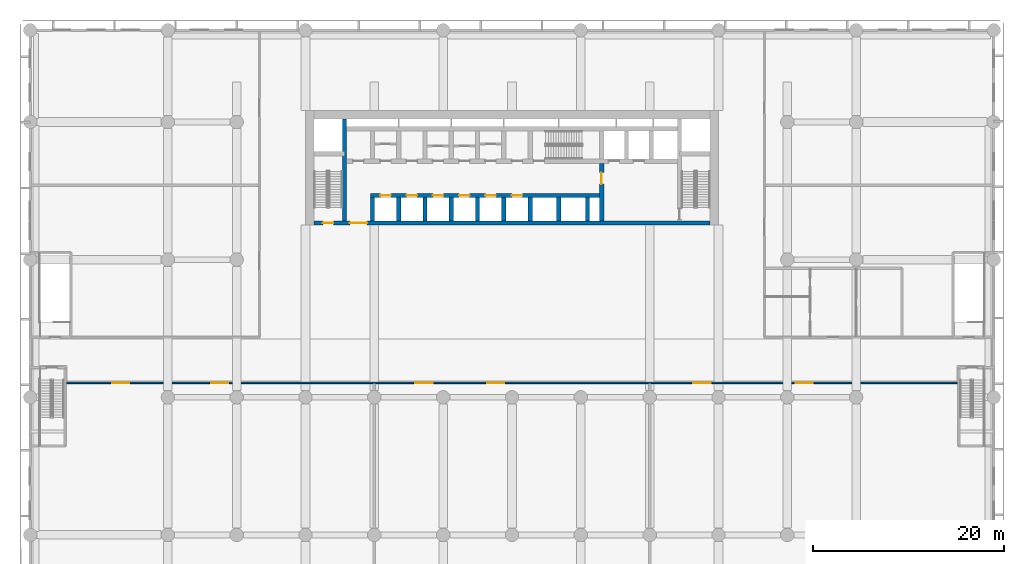
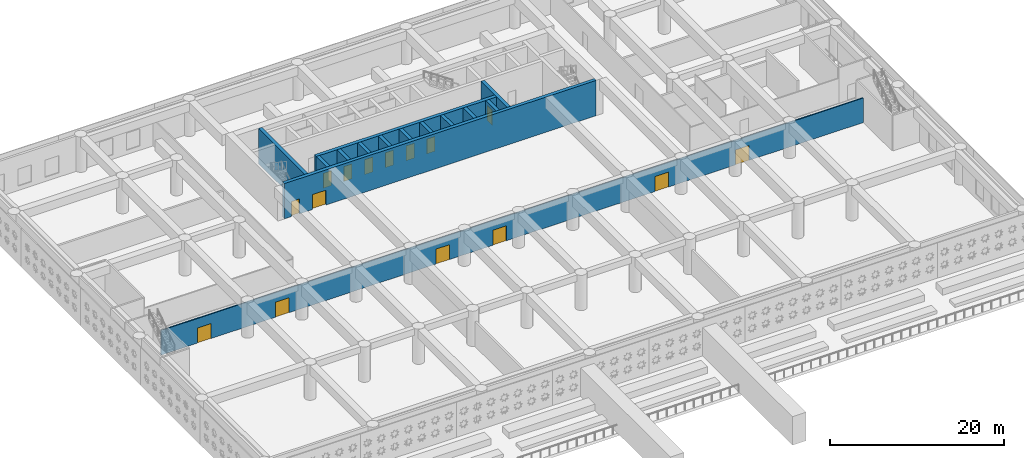
# One storey, part 5 of 24: 15 doors, 14 walls, 15 openings.
"""IFC4 building model written with IfcOpenShell, lengths in metres."""

from ifc_helpers import new_model, si_unit, direction, frame, frame_2d, origin, place, context, subcontext, project, spatial, rectangle, extrude, material, layer, layer_set, type_object, element, fill, save


model = new_model("IFC4")

# Units and contexts
model_context = context("Model", 3, precision=1e-05, world=origin(), true_north=direction((0.0, 1.0)))
body_context = subcontext(model_context, "Body", "Model", "MODEL_VIEW")
ifc_project = project(units=[si_unit("LENGTHUNIT", "METRE"), si_unit("AREAUNIT", "SQUARE_METRE"), si_unit("VOLUMEUNIT", "CUBIC_METRE"), si_unit("PLANEANGLEUNIT", "RADIAN"), si_unit("MASSUNIT", "GRAM", prefix="KILO")], contexts=[model_context])

# Site, building, storey
site_placement = place(None, origin())
site = spatial("IfcSite", under=ifc_project, at=site_placement, CompositionType="ELEMENT")
building_placement = place(site_placement, origin())
building = spatial("IfcBuilding", under=site, at=building_placement, Name="Saffron Iwan Residences", CompositionType="ELEMENT")
storey_placement = place(building_placement, frame((0.0, 0.0, 21.60009765625)))
storey = spatial("IfcBuildingStorey", under=building, at=storey_placement, Name="L04", CompositionType="ELEMENT", Elevation=21.60009765625)

# Wall, openings, doors
ifc_material_1 = material(Name="Concrete blockwork", Category="masonry")
ifc_layer_1 = layer(ifc_material_1, 0.14990234375)
ifc_layer_set_1 = layer_set([ifc_layer_1], Name="Concrete blockwork")
wall_type_1 = type_object("IfcWallType", Name="Blockwork partition 150", PredefinedType="PARTITIONING", material=ifc_layer_set_1)
wall_1_placement = place(storey_placement, frame((3.75, 49.5, 0.0), z_axis=(0.0, 0.0, 1.0), x_axis=(1.0, 0.0, 0.0)))
wall_1 = element("IfcWall", 1, at=wall_1_placement, inside=storey, type_object=wall_type_1, Name="W-L04-004", PredefinedType="PARTITIONING", context=body_context, shape_type="SweptSolid", body=[
    extrude(rectangle(XDim=93.300048828125, YDim=0.14990234375, at=frame_2d((46.64990234375, 0.0))), origin(), (0.0, 0.0, 1.0), 3.449951171875),
])
opening_1_placement = place(wall_1_placement, frame((15.175048828125, 0.0, 0.0)))
opening_1 = element("IfcOpeningElement", 2, at=opening_1_placement, cuts=wall_1, Name="Opening L04.01", PredefinedType="OPENING", context=body_context, shape_type="SweptSolid", body=[
    extrude(rectangle(XDim=1.800048828125, YDim=2.10009765625, at=frame_2d((0.89990234375, 1.050048828125))), frame((0.0, 0.0849609375, 0.0), z_axis=(0.0, -1.0, 0.0), x_axis=(1.0, 0.0, 0.0)), (0.0, 0.0, 1.0), 0.169921875),
])
opening_2_placement = place(wall_1_placement, frame((4.822998046875, 0.0, 0.0)))
opening_2 = element("IfcOpeningElement", 3, at=opening_2_placement, cuts=wall_1, Name="Opening L04.02", PredefinedType="OPENING", context=body_context, shape_type="SweptSolid", body=[
    extrude(rectangle(XDim=1.800048828125, YDim=2.10009765625, at=frame_2d((0.89990234375, 1.050048828125))), frame((0.0, 0.0849609375, 0.0), z_axis=(0.0, -1.0, 0.0), x_axis=(1.0, 0.0, 0.0)), (0.0, 0.0, 1.0), 0.169921875),
])
opening_3_placement = place(wall_1_placement, frame((44.050048828125, 0.0, 0.0)))
opening_3 = element("IfcOpeningElement", 4, at=opening_3_placement, cuts=wall_1, Name="Opening L04.03", PredefinedType="OPENING", context=body_context, shape_type="SweptSolid", body=[
    extrude(rectangle(XDim=1.800048828125, YDim=2.10009765625, at=frame_2d((0.89990234375, 1.050048828125))), frame((0.0, 0.0849609375, 0.0), z_axis=(0.0, -1.0, 0.0), x_axis=(1.0, 0.0, 0.0)), (0.0, 0.0, 1.0), 0.169921875),
])
opening_4_placement = place(wall_1_placement, frame((36.533935546875, 0.0, 0.0)))
opening_4 = element("IfcOpeningElement", 5, at=opening_4_placement, cuts=wall_1, Name="Opening L04.04", PredefinedType="OPENING", context=body_context, shape_type="SweptSolid", body=[
    extrude(rectangle(XDim=1.800048828125, YDim=2.10009765625, at=frame_2d((0.89990234375, 1.050048828125))), frame((0.0, 0.0849609375, 0.0), z_axis=(0.0, -1.0, 0.0), x_axis=(1.0, 0.0, 0.0)), (0.0, 0.0, 1.0), 0.169921875),
])
opening_5_placement = place(wall_1_placement, frame((76.324951171875, 0.0, 0.0)))
opening_5 = element("IfcOpeningElement", 6, at=opening_5_placement, cuts=wall_1, Name="Opening L04.05", PredefinedType="OPENING", context=body_context, shape_type="SweptSolid", body=[
    extrude(rectangle(XDim=1.800048828125, YDim=2.10009765625, at=frame_2d((0.89990234375, 1.050048828125))), frame((0.0, 0.0849609375, 0.0), z_axis=(0.0, -1.0, 0.0), x_axis=(1.0, 0.0, 0.0)), (0.0, 0.0, 1.0), 0.169921875),
])
opening_6_placement = place(wall_1_placement, frame((65.623046875, 0.0, 0.0)))
opening_6 = element("IfcOpeningElement", 7, at=opening_6_placement, cuts=wall_1, Name="Opening L04.06", PredefinedType="OPENING", context=body_context, shape_type="SweptSolid", body=[
    extrude(rectangle(XDim=1.800048828125, YDim=2.10009765625, at=frame_2d((0.89990234375, 1.050048828125))), frame((0.0, 0.0849609375, 0.0), z_axis=(0.0, -1.0, 0.0), x_axis=(1.0, 0.0, 0.0)), (0.0, 0.0, 1.0), 0.169921875),
])
ifc_material_2 = material(Name="Timber", Category="wood")
door_type_1 = type_object("IfcDoorType", Name="Door 1800x2100", OperationType="DOUBLE_DOOR_SINGLE_SWING", PredefinedType="DOOR", material=ifc_material_2)
door_1_placement = place(opening_1_placement, origin())
door_1 = element("IfcDoor", 8, at=door_1_placement, inside=storey, type_object=door_type_1, Name="D-L04-001", OperationType="DOUBLE_DOOR_SINGLE_SWING", OverallHeight=2.10009765625, OverallWidth=1.800048828125, PredefinedType="DOOR", context=body_context, shape_type="SweptSolid", body=[
    extrude(rectangle(XDim=1.800048828125, YDim=2.10009765625, at=frame_2d((0.89990234375, 1.050048828125))), frame((0.0, 0.02490234375, 0.0), z_axis=(0.0, -1.0, 0.0), x_axis=(1.0, 0.0, 0.0)), (0.0, 0.0, 1.0), 0.050048828125),
])
fill(opening_1, door_1)
door_2_placement = place(opening_2_placement, origin())
door_2 = element("IfcDoor", 9, at=door_2_placement, inside=storey, type_object=door_type_1, Name="D-L04-002", OperationType="DOUBLE_DOOR_SINGLE_SWING", OverallHeight=2.10009765625, OverallWidth=1.800048828125, PredefinedType="DOOR", context=body_context, shape_type="SweptSolid", body=[
    extrude(rectangle(XDim=1.800048828125, YDim=2.10009765625, at=frame_2d((0.89990234375, 1.050048828125))), frame((0.0, 0.02490234375, 0.0), z_axis=(0.0, -1.0, 0.0), x_axis=(1.0, 0.0, 0.0)), (0.0, 0.0, 1.0), 0.050048828125),
])
fill(opening_2, door_2)
door_3_placement = place(opening_3_placement, origin())
door_3 = element("IfcDoor", 10, at=door_3_placement, inside=storey, type_object=door_type_1, Name="D-L04-003", OperationType="DOUBLE_DOOR_SINGLE_SWING", OverallHeight=2.10009765625, OverallWidth=1.800048828125, PredefinedType="DOOR", context=body_context, shape_type="SweptSolid", body=[
    extrude(rectangle(XDim=1.800048828125, YDim=2.10009765625, at=frame_2d((0.89990234375, 1.050048828125))), frame((0.0, 0.02490234375, 0.0), z_axis=(0.0, -1.0, 0.0), x_axis=(1.0, 0.0, 0.0)), (0.0, 0.0, 1.0), 0.050048828125),
])
fill(opening_3, door_3)
door_4_placement = place(opening_4_placement, origin())
door_4 = element("IfcDoor", 11, at=door_4_placement, inside=storey, type_object=door_type_1, Name="D-L04-004", OperationType="DOUBLE_DOOR_SINGLE_SWING", OverallHeight=2.10009765625, OverallWidth=1.800048828125, PredefinedType="DOOR", context=body_context, shape_type="SweptSolid", body=[
    extrude(rectangle(XDim=1.800048828125, YDim=2.10009765625, at=frame_2d((0.89990234375, 1.050048828125))), frame((0.0, 0.02490234375, 0.0), z_axis=(0.0, -1.0, 0.0), x_axis=(1.0, 0.0, 0.0)), (0.0, 0.0, 1.0), 0.050048828125),
])
fill(opening_4, door_4)
door_5_placement = place(opening_5_placement, origin())
door_5 = element("IfcDoor", 12, at=door_5_placement, inside=storey, type_object=door_type_1, Name="D-L04-005", OperationType="DOUBLE_DOOR_SINGLE_SWING", OverallHeight=2.10009765625, OverallWidth=1.800048828125, PredefinedType="DOOR", context=body_context, shape_type="SweptSolid", body=[
    extrude(rectangle(XDim=1.800048828125, YDim=2.10009765625, at=frame_2d((0.89990234375, 1.050048828125))), frame((0.0, 0.02490234375, 0.0), z_axis=(0.0, -1.0, 0.0), x_axis=(1.0, 0.0, 0.0)), (0.0, 0.0, 1.0), 0.050048828125),
])
fill(opening_5, door_5)
door_6_placement = place(opening_6_placement, origin())
door_6 = element("IfcDoor", 13, at=door_6_placement, inside=storey, type_object=door_type_1, Name="D-L04-006", OperationType="DOUBLE_DOOR_SINGLE_SWING", OverallHeight=2.10009765625, OverallWidth=1.800048828125, PredefinedType="DOOR", context=body_context, shape_type="SweptSolid", body=[
    extrude(rectangle(XDim=1.800048828125, YDim=2.10009765625, at=frame_2d((0.89990234375, 1.050048828125))), frame((0.0, 0.02490234375, 0.0), z_axis=(0.0, -1.0, 0.0), x_axis=(1.0, 0.0, 0.0)), (0.0, 0.0, 1.0), 0.050048828125),
])
fill(opening_6, door_6)

ifc_material_3 = material(Name="Concrete C60/75", Category="concrete")
ifc_layer_2 = layer(ifc_material_3, 0.449951171875)
ifc_layer_set_2 = layer_set([ifc_layer_2], Name="Concrete C60/75")
wall_type_2 = type_object("IfcWallType", Name="WALL CORE 450 C60/75 4950 HIGH", PredefinedType="SHEAR", material=ifc_layer_set_2)
wall_2_placement = place(storey_placement, frame((29.699951171875, 66.22509765625, 0.0), z_axis=(0.0, 0.0, 1.0), x_axis=(1.0, 0.0, 0.0)))
wall_2 = element("IfcWall", 14, at=wall_2_placement, inside=storey, type_object=wall_type_2, Name="Core wall", PredefinedType="SHEAR", context=body_context, shape_type="SweptSolid", body=[
    extrude(rectangle(XDim=41.400146484375, YDim=0.449951171875, at=frame_2d((20.7001953125, 0.0))), origin(), (0.0, 0.0, 1.0), 4.949951171875),
])
opening_7_placement = place(wall_2_placement, frame((0.925048828125, 0.0, 0.0)))
opening_7 = element("IfcOpeningElement", 15, at=opening_7_placement, cuts=wall_2, Name="Opening SD", PredefinedType="OPENING", context=body_context, shape_type="SweptSolid", body=[
    extrude(rectangle(XDim=1.10009765625, YDim=2.10009765625, at=frame_2d((0.550048828125, 1.050048828125))), frame((0.0, 0.23486328125, 0.0), z_axis=(0.0, -1.0, 0.0), x_axis=(1.0, 0.0, 0.0)), (0.0, 0.0, 1.0), 0.469970703125),
])
opening_8_placement = place(wall_2_placement, frame((3.737548828125, 0.0, 0.0)))
opening_8 = element("IfcOpeningElement", 16, at=opening_8_placement, cuts=wall_2, Name="Opening DD", PredefinedType="OPENING", context=body_context, shape_type="SweptSolid", body=[
    extrude(rectangle(XDim=1.800048828125, YDim=2.10009765625, at=frame_2d((0.89990234375, 1.050048828125))), frame((0.0, 0.23486328125, 0.0), z_axis=(0.0, -1.0, 0.0), x_axis=(1.0, 0.0, 0.0)), (0.0, 0.0, 1.0), 0.469970703125),
])
ifc_material_4 = material(Name="Steel fire door", Category="steel")
door_type_2 = type_object("IfcDoorType", Name="Lobby double door 1800", OperationType="DOUBLE_DOOR_SINGLE_SWING", PredefinedType="DOOR", material=ifc_material_4)
door_7_placement = place(opening_8_placement, origin())
door_7 = element("IfcDoor", 17, at=door_7_placement, inside=storey, type_object=door_type_2, Name="Lobby doors", OperationType="DOUBLE_DOOR_SINGLE_SWING", OverallHeight=2.10009765625, OverallWidth=1.800048828125, PredefinedType="DOOR", context=body_context, shape_type="SweptSolid", body=[
    extrude(rectangle(XDim=1.800048828125, YDim=2.10009765625, at=frame_2d((0.89990234375, 1.050048828125))), frame((0.0, 0.02490234375, 0.0), z_axis=(0.0, -1.0, 0.0), x_axis=(1.0, 0.0, 0.0)), (0.0, 0.0, 1.0), 0.050048828125),
])
fill(opening_8, door_7)
door_type_3 = type_object("IfcDoorType", Name="Stair door 1100", OperationType="NOTDEFINED", PredefinedType="DOOR", material=ifc_material_4)
door_8_placement = place(opening_7_placement, origin())
door_8 = element("IfcDoor", 18, at=door_8_placement, inside=storey, type_object=door_type_3, Name="Stair door ST-W", OperationType="SINGLE_SWING_LEFT", OverallHeight=2.10009765625, OverallWidth=1.10009765625, PredefinedType="DOOR", context=body_context, shape_type="SweptSolid", body=[
    extrude(rectangle(XDim=1.10009765625, YDim=2.10009765625, at=frame_2d((0.550048828125, 1.050048828125))), frame((0.0, 0.02490234375, 0.0), z_axis=(0.0, -1.0, 0.0), x_axis=(1.0, 0.0, 0.0)), (0.0, 0.0, 1.0), 0.050048828125),
])
fill(opening_7, door_8)

wall_3_placement = place(storey_placement, frame((35.574951171875, 69.10009765625, 0.0), z_axis=(0.0, 0.0, 1.0), x_axis=(1.0, 0.0, 0.0)))
wall_3 = element("IfcWall", 19, at=wall_3_placement, inside=storey, type_object=wall_type_2, Name="Core wall", PredefinedType="SHEAR", context=body_context, shape_type="SweptSolid", body=[
    extrude(rectangle(XDim=24.199951171875, YDim=0.449951171875, at=frame_2d((12.10009765625, 0.0))), origin(), (0.0, 0.0, 1.0), 4.949951171875),
])
opening_9_placement = place(wall_3_placement, frame((1.050048828125, 0.0, 0.0)))
opening_9 = element("IfcOpeningElement", 20, at=opening_9_placement, cuts=wall_3, Name="Opening LD", PredefinedType="OPENING", context=body_context, shape_type="SweptSolid", body=[
    extrude(rectangle(XDim=1.10009765625, YDim=2.10009765625, at=frame_2d((0.550048828125, 1.050048828125))), frame((0.0, 0.23486328125, 0.0), z_axis=(0.0, -1.0, 0.0), x_axis=(1.0, 0.0, 0.0)), (0.0, 0.0, 1.0), 0.469970703125),
])
opening_10_placement = place(wall_3_placement, frame((3.800048828125, 0.0, 0.0)))
opening_10 = element("IfcOpeningElement", 21, at=opening_10_placement, cuts=wall_3, Name="Opening LD", PredefinedType="OPENING", context=body_context, shape_type="SweptSolid", body=[
    extrude(rectangle(XDim=1.10009765625, YDim=2.10009765625, at=frame_2d((0.550048828125, 1.050048828125))), frame((0.0, 0.23486328125, 0.0), z_axis=(0.0, -1.0, 0.0), x_axis=(1.0, 0.0, 0.0)), (0.0, 0.0, 1.0), 0.469970703125),
])
opening_11_placement = place(wall_3_placement, frame((6.550048828125, 0.0, 0.0)))
opening_11 = element("IfcOpeningElement", 22, at=opening_11_placement, cuts=wall_3, Name="Opening LD", PredefinedType="OPENING", context=body_context, shape_type="SweptSolid", body=[
    extrude(rectangle(XDim=1.10009765625, YDim=2.10009765625, at=frame_2d((0.550048828125, 1.050048828125))), frame((0.0, 0.23486328125, 0.0), z_axis=(0.0, -1.0, 0.0), x_axis=(1.0, 0.0, 0.0)), (0.0, 0.0, 1.0), 0.469970703125),
])
opening_12_placement = place(wall_3_placement, frame((9.300048828125, 0.0, 0.0)))
opening_12 = element("IfcOpeningElement", 23, at=opening_12_placement, cuts=wall_3, Name="Opening LD", PredefinedType="OPENING", context=body_context, shape_type="SweptSolid", body=[
    extrude(rectangle(XDim=1.10009765625, YDim=2.10009765625, at=frame_2d((0.550048828125, 1.050048828125))), frame((0.0, 0.23486328125, 0.0), z_axis=(0.0, -1.0, 0.0), x_axis=(1.0, 0.0, 0.0)), (0.0, 0.0, 1.0), 0.469970703125),
])
opening_13_placement = place(wall_3_placement, frame((12.050048828125, 0.0, 0.0)))
opening_13 = element("IfcOpeningElement", 24, at=opening_13_placement, cuts=wall_3, Name="Opening LD", PredefinedType="OPENING", context=body_context, shape_type="SweptSolid", body=[
    extrude(rectangle(XDim=1.10009765625, YDim=2.10009765625, at=frame_2d((0.550048828125, 1.050048828125))), frame((0.0, 0.23486328125, 0.0), z_axis=(0.0, -1.0, 0.0), x_axis=(1.0, 0.0, 0.0)), (0.0, 0.0, 1.0), 0.469970703125),
])
opening_14_placement = place(wall_3_placement, frame((14.800048828125, 0.0, 0.0)))
opening_14 = element("IfcOpeningElement", 25, at=opening_14_placement, cuts=wall_3, Name="Opening LD", PredefinedType="OPENING", context=body_context, shape_type="SweptSolid", body=[
    extrude(rectangle(XDim=1.10009765625, YDim=2.10009765625, at=frame_2d((0.550048828125, 1.050048828125))), frame((0.0, 0.23486328125, 0.0), z_axis=(0.0, -1.0, 0.0), x_axis=(1.0, 0.0, 0.0)), (0.0, 0.0, 1.0), 0.469970703125),
])
door_type_4 = type_object("IfcDoorType", Name="Lift landing door 1100", OperationType="SLIDING_TO_LEFT", PredefinedType="DOOR", material=ifc_material_4)
door_9_placement = place(opening_9_placement, origin())
door_9 = element("IfcDoor", 26, at=door_9_placement, inside=storey, type_object=door_type_4, Name="Landing doors LR1", OperationType="SLIDING_TO_LEFT", OverallHeight=2.10009765625, OverallWidth=1.10009765625, PredefinedType="DOOR", context=body_context, shape_type="SweptSolid", body=[
    extrude(rectangle(XDim=1.10009765625, YDim=2.10009765625, at=frame_2d((0.550048828125, 1.050048828125))), frame((0.0, 0.02490234375, 0.0), z_axis=(0.0, -1.0, 0.0), x_axis=(1.0, 0.0, 0.0)), (0.0, 0.0, 1.0), 0.050048828125),
])
fill(opening_9, door_9)
door_10_placement = place(opening_10_placement, origin())
door_10 = element("IfcDoor", 27, at=door_10_placement, inside=storey, type_object=door_type_4, Name="Landing doors LR2", OperationType="SLIDING_TO_LEFT", OverallHeight=2.10009765625, OverallWidth=1.10009765625, PredefinedType="DOOR", context=body_context, shape_type="SweptSolid", body=[
    extrude(rectangle(XDim=1.10009765625, YDim=2.10009765625, at=frame_2d((0.550048828125, 1.050048828125))), frame((0.0, 0.02490234375, 0.0), z_axis=(0.0, -1.0, 0.0), x_axis=(1.0, 0.0, 0.0)), (0.0, 0.0, 1.0), 0.050048828125),
])
fill(opening_10, door_10)
door_11_placement = place(opening_11_placement, origin())
door_11 = element("IfcDoor", 28, at=door_11_placement, inside=storey, type_object=door_type_4, Name="Landing doors LR3", OperationType="SLIDING_TO_LEFT", OverallHeight=2.10009765625, OverallWidth=1.10009765625, PredefinedType="DOOR", context=body_context, shape_type="SweptSolid", body=[
    extrude(rectangle(XDim=1.10009765625, YDim=2.10009765625, at=frame_2d((0.550048828125, 1.050048828125))), frame((0.0, 0.02490234375, 0.0), z_axis=(0.0, -1.0, 0.0), x_axis=(1.0, 0.0, 0.0)), (0.0, 0.0, 1.0), 0.050048828125),
])
fill(opening_11, door_11)
door_12_placement = place(opening_12_placement, origin())
door_12 = element("IfcDoor", 29, at=door_12_placement, inside=storey, type_object=door_type_4, Name="Landing doors LR4", OperationType="SLIDING_TO_LEFT", OverallHeight=2.10009765625, OverallWidth=1.10009765625, PredefinedType="DOOR", context=body_context, shape_type="SweptSolid", body=[
    extrude(rectangle(XDim=1.10009765625, YDim=2.10009765625, at=frame_2d((0.550048828125, 1.050048828125))), frame((0.0, 0.02490234375, 0.0), z_axis=(0.0, -1.0, 0.0), x_axis=(1.0, 0.0, 0.0)), (0.0, 0.0, 1.0), 0.050048828125),
])
fill(opening_12, door_12)
door_13_placement = place(opening_13_placement, origin())
door_13 = element("IfcDoor", 30, at=door_13_placement, inside=storey, type_object=door_type_4, Name="Landing doors LR5", OperationType="SLIDING_TO_LEFT", OverallHeight=2.10009765625, OverallWidth=1.10009765625, PredefinedType="DOOR", context=body_context, shape_type="SweptSolid", body=[
    extrude(rectangle(XDim=1.10009765625, YDim=2.10009765625, at=frame_2d((0.550048828125, 1.050048828125))), frame((0.0, 0.02490234375, 0.0), z_axis=(0.0, -1.0, 0.0), x_axis=(1.0, 0.0, 0.0)), (0.0, 0.0, 1.0), 0.050048828125),
])
fill(opening_13, door_13)
door_14_placement = place(opening_14_placement, origin())
door_14 = element("IfcDoor", 31, at=door_14_placement, inside=storey, type_object=door_type_4, Name="Landing doors LR6", OperationType="SLIDING_TO_LEFT", OverallHeight=2.10009765625, OverallWidth=1.10009765625, PredefinedType="DOOR", context=body_context, shape_type="SweptSolid", body=[
    extrude(rectangle(XDim=1.10009765625, YDim=2.10009765625, at=frame_2d((0.550048828125, 1.050048828125))), frame((0.0, 0.02490234375, 0.0), z_axis=(0.0, -1.0, 0.0), x_axis=(1.0, 0.0, 0.0)), (0.0, 0.0, 1.0), 0.050048828125),
])
fill(opening_14, door_14)

# Wall
wall_4_placement = place(storey_placement, frame((32.875, 66.449951171875, 0.0), z_axis=(0.0, 0.0, 1.0), x_axis=(0.0, 1.0, 0.0)))
element("IfcWall", 32, at=wall_4_placement, inside=storey, type_object=wall_type_2, Name="Core wall", PredefinedType="SHEAR", context=body_context, shape_type="SweptSolid", body=[
    extrude(rectangle(XDim=10.650146484375, YDim=0.449951171875, at=frame_2d((5.3251953125, 0.0))), origin(), (0.0, 0.0, 1.0), 4.949951171875),
])

# Wall, opening, door
wall_5_placement = place(storey_placement, frame((59.77490234375, 66.449951171875, 0.0), z_axis=(0.0, 0.0, 1.0), x_axis=(0.0, 1.0, 0.0)))
wall_5 = element("IfcWall", 33, at=wall_5_placement, inside=storey, type_object=wall_type_2, Name="Core wall", PredefinedType="SHEAR", context=body_context, shape_type="SweptSolid", body=[
    extrude(rectangle(XDim=6.025146484375, YDim=0.449951171875, at=frame_2d((3.0126953125, 0.0))), origin(), (0.0, 0.0, 1.0), 4.949951171875),
])
opening_15_placement = place(wall_5_placement, frame((3.85009765625, 0.0, 0.0)))
opening_15 = element("IfcOpeningElement", 34, at=opening_15_placement, cuts=wall_5, Name="Opening FD", PredefinedType="OPENING", context=body_context, shape_type="SweptSolid", body=[
    extrude(rectangle(XDim=1.199951171875, YDim=2.10009765625, at=frame_2d((0.60009765625, 1.050048828125))), frame((0.0, 0.23486328125, 0.0), z_axis=(0.0, -1.0, 0.0), x_axis=(1.0, 0.0, 0.0)), (0.0, 0.0, 1.0), 0.469970703125),
])
door_type_5 = type_object("IfcDoorType", Name="Firefighting lobby door 1200", OperationType="NOTDEFINED", PredefinedType="DOOR", material=ifc_material_4)
door_15_placement = place(opening_15_placement, origin())
door_15 = element("IfcDoor", 35, at=door_15_placement, inside=storey, type_object=door_type_5, Name="Firefighting lobby door", OperationType="SINGLE_SWING_RIGHT", OverallHeight=2.10009765625, OverallWidth=1.199951171875, PredefinedType="DOOR", context=body_context, shape_type="SweptSolid", body=[
    extrude(rectangle(XDim=1.199951171875, YDim=2.10009765625, at=frame_2d((0.60009765625, 1.050048828125))), frame((0.0, 0.02490234375, 0.0), z_axis=(0.0, -1.0, 0.0), x_axis=(1.0, 0.0, 0.0)), (0.0, 0.0, 1.0), 0.050048828125),
])
fill(opening_15, door_15)

# Walls
for number, where, z_axis, x_axis, name in (
    (36, (35.800048828125, 66.449951171875, 0.0), (0.0, 0.0, 1.0), (0.0, 1.0, 0.0), "Core wall"),
    (37, (38.550048828125, 66.449951171875, 0.0), (0.0, 0.0, 1.0), (0.0, 1.0, 0.0), "Core wall"),
    (38, (41.300048828125, 66.449951171875, 0.0), (0.0, 0.0, 1.0), (0.0, 1.0, 0.0), "Core wall"),
    (39, (44.050048828125, 66.449951171875, 0.0), (0.0, 0.0, 1.0), (0.0, 1.0, 0.0), "Core wall"),
    (40, (46.800048828125, 66.449951171875, 0.0), (0.0, 0.0, 1.0), (0.0, 1.0, 0.0), "Core wall"),
    (41, (49.550048828125, 66.449951171875, 0.0), (0.0, 0.0, 1.0), (0.0, 1.0, 0.0), "Core wall"),
    (42, (52.300048828125, 66.449951171875, 0.0), (0.0, 0.0, 1.0), (0.0, 1.0, 0.0), "Core wall"),
    (43, (55.300048828125, 66.449951171875, 0.0), (0.0, 0.0, 1.0), (0.0, 1.0, 0.0), "Core wall"),
    (44, (58.300048828125, 66.449951171875, 0.0), (0.0, 0.0, 1.0), (0.0, 1.0, 0.0), "Core wall"),
):
    element("IfcWall", number, at=place(storey_placement, frame(where, z_axis=z_axis, x_axis=x_axis)), inside=storey, type_object=wall_type_2, Name=name, PredefinedType="SHEAR", context=body_context, shape_type="SweptSolid", body=[
        extrude(rectangle(XDim=2.425048828125, YDim=0.449951171875, at=frame_2d((1.21240234375, 0.0))), origin(), (0.0, 0.0, 1.0), 4.949951171875),
    ])

save(model, "model.ifc")
